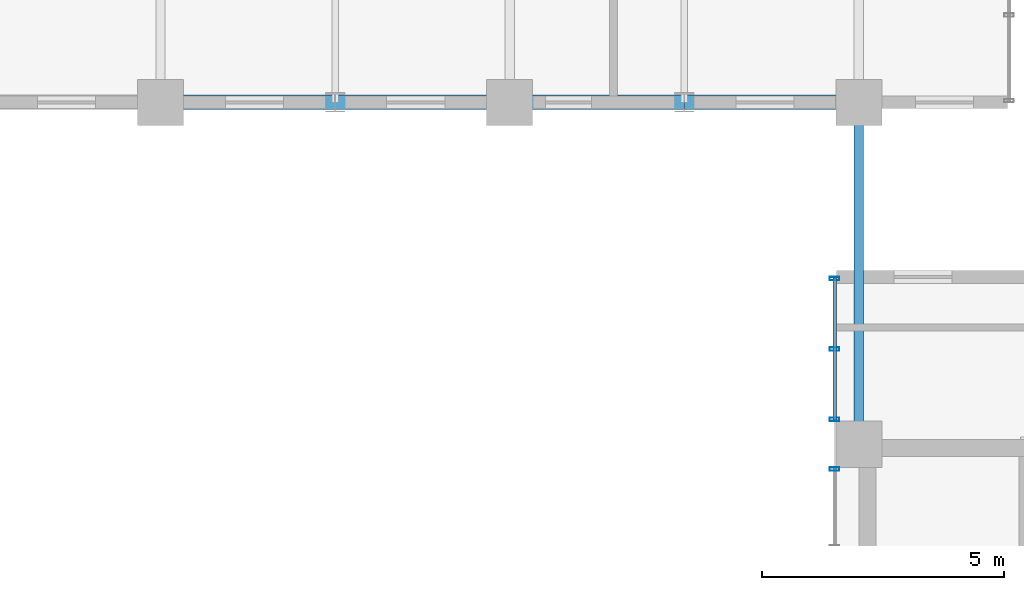
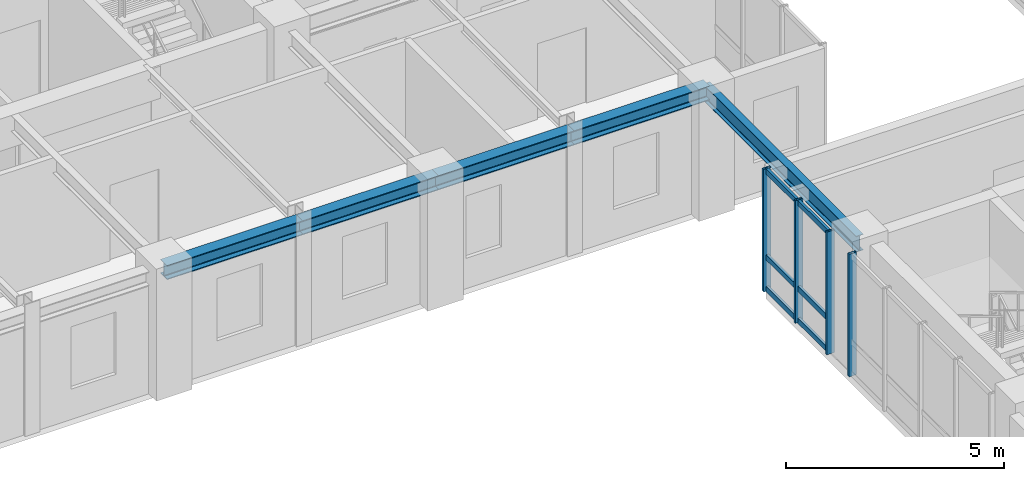
# One storey, part 5 of 24: 7 members, 5 beams, 2 elements without a shape of their own.
"""IFC4 building model written with IfcOpenShell, lengths in metres."""

from ifc_helpers import new_model, si_unit, direction, frame, origin, origin_2d, place, context, subcontext, project, spatial, hollow_rectangle, i_section, extrude, source, transform, mapped, material, layer, layer_set, material_profile, profile_set, type_object, element, aggregate, save


model = new_model("IFC4")

# Units and contexts
model_context = context("Model", 3, precision=1e-05, world=origin(), true_north=direction((0.0, 1.0)))
body_context = subcontext(model_context, "Body", "Model", "MODEL_VIEW")
ifc_project = project(units=[si_unit("LENGTHUNIT", "METRE"), si_unit("AREAUNIT", "SQUARE_METRE"), si_unit("VOLUMEUNIT", "CUBIC_METRE"), si_unit("PLANEANGLEUNIT", "RADIAN"), si_unit("MASSUNIT", "GRAM", prefix="KILO")], contexts=[model_context])

# Site, building, storey
site_placement = place(None, origin())
site = spatial("IfcSite", under=ifc_project, at=site_placement, CompositionType="ELEMENT")
building_placement = place(site_placement, origin())
building = spatial("IfcBuilding", under=site, at=building_placement, Name="Kaliganga Portal Commons", CompositionType="ELEMENT")
storey_placement = place(building_placement, frame((0.0, 0.0, 238.800048828125)))
storey = spatial("IfcBuildingStorey", under=building, at=storey_placement, Name="L61", CompositionType="ELEMENT", Elevation=238.800048828125)

# Beams
ifc_material_1 = material(Name="Structural steel S355J2", Category="steel")
ifc_material_profile_1 = material_profile(ifc_material_1, i_section(OverallWidth=0.18994140625, OverallDepth=0.449951171875, WebThickness=0.009521484375, FlangeThickness=0.0146484375, FilletRadius=0.02099609375, at=origin_2d()), Name="IPE 450")
ifc_profile_set_1 = profile_set([ifc_material_profile_1], Name="Structural steel S355J2 wide-flange")
beam_type_1 = type_object("IfcBeamType", Name="BM-FLR-450", PredefinedType="BEAM", material=ifc_profile_set_1)
shared_shape_1 = source(origin(), body_context, "Body", "SweptSolid", [
    extrude(i_section(OverallWidth=0.18994140625, OverallDepth=0.449951171875, WebThickness=0.009521484375, FlangeThickness=0.0146484375, FilletRadius=0.02099609375, at=origin_2d()), origin(), (0.0, 0.0, 1.0), 7.050048828125),
])
beam_placement = place(storey_placement, frame((36.0, 14.550048828125, 3.21484375), z_axis=(0.0, 1.0, 0.0), x_axis=(-1.0, 0.0, 0.0)))
element("IfcBeam", 1, at=beam_placement, inside=storey, type_object=beam_type_1, Name="BM G L61 BNK360", PredefinedType="BEAM", context=body_context, shape_type="MappedRepresentation", body=[
    mapped(shared_shape_1, transform((0.0, 0.0, 0.0), x_axis=(1.0, 0.0, 0.0), y_axis=(0.0, 1.0, 0.0), z_axis=(0.0, 0.0, 1.0), scale=1.0)),
])
ifc_material_profile_2 = material_profile(ifc_material_1, i_section(OverallWidth=0.300048828125, OverallDepth=0.39990234375, WebThickness=0.013427734375, FlangeThickness=0.02392578125, FilletRadius=0.027099609375, at=origin_2d()), Name="HE 400 B")
ifc_profile_set_2 = profile_set([ifc_material_profile_2], Name="Structural steel S355J2 wide-flange")
beam_type_2 = type_object("IfcBeamType", Name="BM-SPAND-400", PredefinedType="SPANDREL", material=ifc_profile_set_2)
shared_shape_2 = source(origin(), body_context, "Body", "SweptSolid", [
    extrude(i_section(OverallWidth=0.300048828125, OverallDepth=0.39990234375, WebThickness=0.013427734375, FlangeThickness=0.02392578125, FilletRadius=0.027099609375, at=origin_2d()), origin(), (0.0, 0.0, 1.0), 3.60009765625),
])
for number, where, z_axis, x_axis, name in (
    (2, (25.199951171875, 21.60009765625, 3.239990234375), (1.0, 0.0, 0.0), (0.0, 1.0, 0.0), "BM SP L61 AS 4"),
    (3, (32.39990234375, 21.60009765625, 3.239990234375), (1.0, 0.0, 0.0), (0.0, 1.0, 0.0), "BM SP L61 AS 6"),
):
    element("IfcBeam", number, at=place(storey_placement, frame(where, z_axis=z_axis, x_axis=x_axis)), inside=storey, type_object=beam_type_2, Name=name, PredefinedType="SPANDREL", context=body_context, shape_type="MappedRepresentation", body=[
        mapped(shared_shape_2, transform((0.0, 0.0, 0.0), x_axis=(1.0, 0.0, 0.0), y_axis=(0.0, 1.0, 0.0), z_axis=(0.0, 0.0, 1.0), scale=1.0)),
    ])
shared_shape_3 = source(origin(), body_context, "Body", "SweptSolid", [
    extrude(i_section(OverallWidth=0.300048828125, OverallDepth=0.39990234375, WebThickness=0.013427734375, FlangeThickness=0.02392578125, FilletRadius=0.027099609375, at=origin_2d()), origin(), (0.0, 0.0, 1.0), 3.599853515625),
])
for number, where, z_axis, x_axis, name in (
    (4, (21.60009765625, 21.60009765625, 3.239990234375), (1.0, 0.0, 0.0), (0.0, 1.0, 0.0), "BM SP L61 AS 3"),
    (5, (28.800048828125, 21.60009765625, 3.239990234375), (1.0, 0.0, 0.0), (0.0, 1.0, 0.0), "BM SP L61 AS 5"),
):
    element("IfcBeam", number, at=place(storey_placement, frame(where, z_axis=z_axis, x_axis=x_axis)), inside=storey, type_object=beam_type_2, Name=name, PredefinedType="SPANDREL", context=body_context, shape_type="MappedRepresentation", body=[
        mapped(shared_shape_3, transform((0.0, 0.0, 0.0), x_axis=(1.0, 0.0, 0.0), y_axis=(0.0, 1.0, 0.0), z_axis=(0.0, 0.0, 1.0), scale=1.0)),
    ])

# Curtain wall, members
ifc_material_2 = material(Name="Anodized Aluminium and Laminated Low-E Glass", Category="aluminium")
ifc_layer = layer(ifc_material_2, 0.239990234375)
ifc_layer_set = layer_set([ifc_layer], Name="Anodized Aluminium and Laminated Low-E Glass")
curtain_wall_type = type_object("IfcCurtainWallType", Name="CW-SYS-04", PredefinedType="NOTDEFINED", material=ifc_layer_set)
curtain_wall_1_placement = place(storey_placement, origin())
curtain_wall_1 = element("IfcCurtainWall", 6, at=curtain_wall_1_placement, inside=storey, type_object=curtain_wall_type, Name="CW 04 L61 P2E05S1", PredefinedType="NOTDEFINED")
ifc_material_3 = material(Name="Dark Bronze Anodized Aluminium", Category="aluminium")
ifc_material_profile_3 = material_profile(ifc_material_3, hollow_rectangle(XDim=0.070068359375, YDim=0.199951171875, WallThickness=0.00390625, at=origin_2d()), Name="ALU MULL 70x200x4")
ifc_profile_set_3 = profile_set([ifc_material_profile_3], Name="Dark Bronze Anodized Aluminium")
member_type_1 = type_object("IfcMemberType", Name="CW-MUL-220", PredefinedType="MULLION", material=ifc_profile_set_3)
shared_shape_4 = source(origin(), body_context, "Body", "SweptSolid", [
    extrude(hollow_rectangle(XDim=0.070068359375, YDim=0.199951171875, WallThickness=0.00390625, at=origin_2d()), origin(), (0.0, 0.0, 1.0), 3.43994140625),
])
member_1_placement = place(storey_placement, frame((35.5, 17.965087890625, 0.0), z_axis=(0.0, 0.0, 1.0), x_axis=(0.0, -1.0, 0.0)))
member_1 = element("IfcMember", 7, at=member_1_placement, type_object=member_type_1, Name="CW:04:L61:P2E05S1 Mullion 00", PredefinedType="MULLION", context=body_context, shape_type="MappedRepresentation", body=[
    mapped(shared_shape_4, transform((0.0, 0.0, 0.0), x_axis=(1.0, 0.0, 0.0), y_axis=(0.0, 1.0, 0.0), z_axis=(0.0, 0.0, 1.0), scale=1.0)),
])
member_2_placement = place(storey_placement, frame((35.5, 16.512939453125, 0.0), z_axis=(0.0, 0.0, 1.0), x_axis=(0.0, -1.0, 0.0)))
member_2 = element("IfcMember", 8, at=member_2_placement, type_object=member_type_1, Name="CW:04:L61:P2E05S1 Mullion 01", PredefinedType="MULLION", context=body_context, shape_type="MappedRepresentation", body=[
    mapped(shared_shape_4, transform((0.0, 0.0, 0.0), x_axis=(1.0, 0.0, 0.0), y_axis=(0.0, 1.0, 0.0), z_axis=(0.0, 0.0, 1.0), scale=1.0)),
])
member_3_placement = place(storey_placement, frame((35.5, 15.06103515625, 0.0), z_axis=(0.0, 0.0, 1.0), x_axis=(0.0, -1.0, 0.0)))
member_3 = element("IfcMember", 9, at=member_3_placement, type_object=member_type_1, Name="CW:04:L61:P2E05S1 Mullion 02", PredefinedType="MULLION", context=body_context, shape_type="MappedRepresentation", body=[
    mapped(shared_shape_4, transform((0.0, 0.0, 0.0), x_axis=(1.0, 0.0, 0.0), y_axis=(0.0, 1.0, 0.0), z_axis=(0.0, 0.0, 1.0), scale=1.0)),
])

# Curtain wall, member
curtain_wall_2_placement = place(storey_placement, origin())
curtain_wall_2 = element("IfcCurtainWall", 10, at=curtain_wall_2_placement, inside=storey, type_object=curtain_wall_type, Name="CW 04 L61 P2E05S2", PredefinedType="NOTDEFINED")
member_4_placement = place(storey_placement, frame((35.5, 14.0390625, 0.0), z_axis=(0.0, 0.0, 1.0), x_axis=(0.0, -1.0, 0.0)))
member_4 = element("IfcMember", 11, at=member_4_placement, type_object=member_type_1, Name="CW:04:L61:P2E05S2 Mullion 00", PredefinedType="MULLION", context=body_context, shape_type="MappedRepresentation", body=[
    mapped(shared_shape_4, transform((0.0, 0.0, 0.0), x_axis=(1.0, 0.0, 0.0), y_axis=(0.0, 1.0, 0.0), z_axis=(0.0, 0.0, 1.0), scale=1.0)),
])
aggregate(curtain_wall_2, [member_4])

# Member
ifc_material_profile_4 = material_profile(ifc_material_3, hollow_rectangle(XDim=0.070068359375, YDim=0.14990234375, WallThickness=0.00341796875, at=origin_2d()), Name="ALU TRAN 70x150x3.5")
ifc_profile_set_4 = profile_set([ifc_material_profile_4], Name="Dark Bronze Anodized Aluminium")
member_type_2 = type_object("IfcMemberType", Name="CW-TRN-150", PredefinedType="USERDEFINED", material=ifc_profile_set_4)
shared_shape_5 = source(origin(), body_context, "Body", "SweptSolid", [
    extrude(hollow_rectangle(XDim=0.070068359375, YDim=0.14990234375, WallThickness=0.00341796875, at=origin_2d()), origin(), (0.0, 0.0, 1.0), 2.93408203125),
])
member_5_placement = place(storey_placement, frame((35.5, 17.97998046875, 0.06005859375), z_axis=(0.0, -1.0, 0.0), x_axis=(1.0, 0.0, 0.0)))
member_5 = element("IfcMember", 12, at=member_5_placement, type_object=member_type_2, Name="CW:04:L61:P2E05S1 Transom 1", ObjectType="TRANSOM", PredefinedType="USERDEFINED", context=body_context, shape_type="MappedRepresentation", body=[
    mapped(shared_shape_5, transform((0.0, 0.0, 0.0), x_axis=(1.0, 0.0, 0.0), y_axis=(0.0, 1.0, 0.0), z_axis=(0.0, 0.0, 1.0), scale=1.0)),
])

member_6_placement = place(storey_placement, frame((35.5, 17.97998046875, 0.949951171875), z_axis=(0.0, -1.0, 0.0), x_axis=(1.0, 0.0, 0.0)))
member_6 = element("IfcMember", 13, at=member_6_placement, type_object=member_type_2, Name="CW:04:L61:P2E05S1 Transom 2", ObjectType="TRANSOM", PredefinedType="USERDEFINED", context=body_context, shape_type="MappedRepresentation", body=[
    mapped(shared_shape_5, transform((0.0, 0.0, 0.0), x_axis=(1.0, 0.0, 0.0), y_axis=(0.0, 1.0, 0.0), z_axis=(0.0, 0.0, 1.0), scale=1.0)),
])

member_7_placement = place(storey_placement, frame((35.5, 17.97998046875, 3.35986328125), z_axis=(0.0, -1.0, 0.0), x_axis=(1.0, 0.0, 0.0)))
member_7 = element("IfcMember", 14, at=member_7_placement, type_object=member_type_2, Name="CW:04:L61:P2E05S1 Transom 3", ObjectType="TRANSOM", PredefinedType="USERDEFINED", context=body_context, shape_type="MappedRepresentation", body=[
    mapped(shared_shape_5, transform((0.0, 0.0, 0.0), x_axis=(1.0, 0.0, 0.0), y_axis=(0.0, 1.0, 0.0), z_axis=(0.0, 0.0, 1.0), scale=1.0)),
])

aggregate(curtain_wall_1, [member_1, member_2, member_3, member_5, member_6, member_7])

save(model, "model.ifc")
